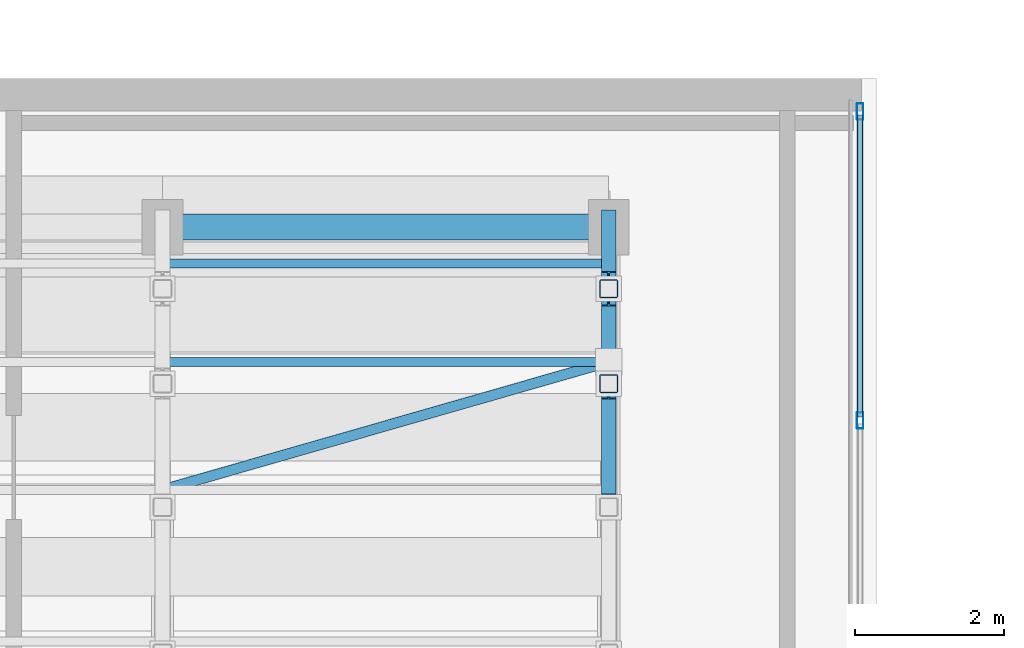
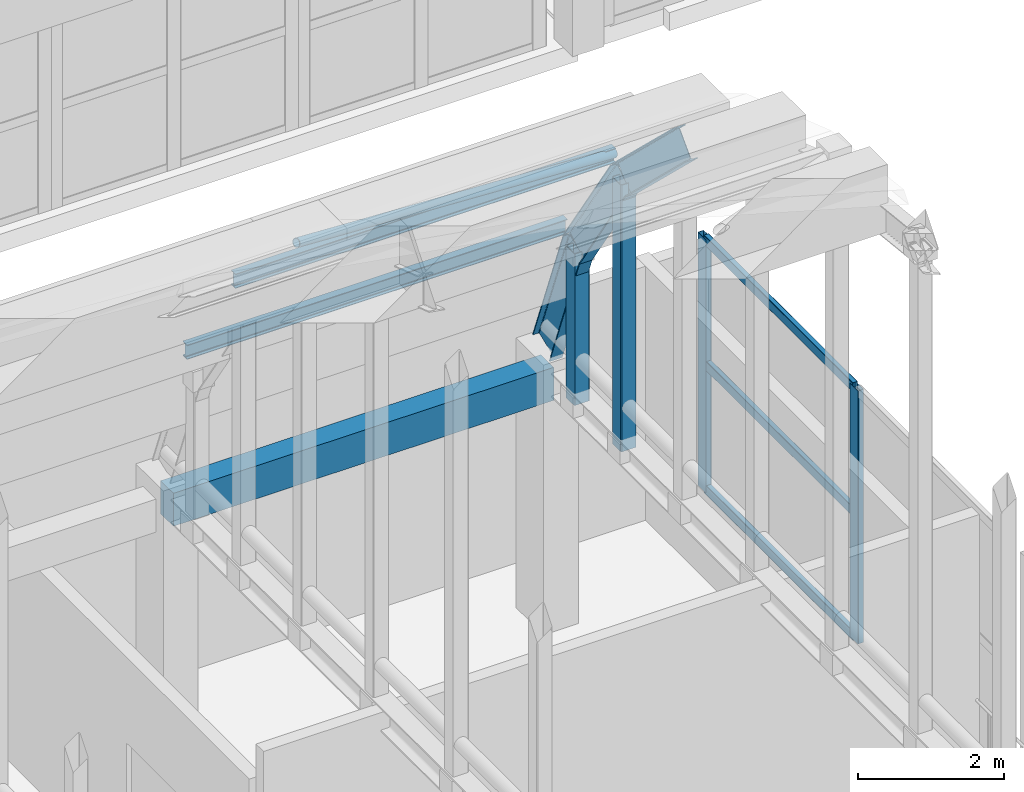
# One storey, part 21 of 91: 10 members, 4 beams, 1 element without a shape of its own.
"""IFC4 building model written with IfcOpenShell, lengths in metres."""

from ifc_helpers import new_model, si_unit, direction, frame, origin, origin_2d, place, context, subcontext, project, spatial, rectangle, hollow_rectangle, hollow_circle, i_section, extrude, material, layer, layer_set, material_profile, profile_set, type_object, element, aggregate, save


model = new_model("IFC4")

# Units and contexts
model_context = context("Model", 3, precision=1e-05, world=origin(), true_north=direction((0.0, 1.0)))
body_context = subcontext(model_context, "Body", "Model", "MODEL_VIEW")
ifc_project = project(units=[si_unit("LENGTHUNIT", "METRE"), si_unit("AREAUNIT", "SQUARE_METRE"), si_unit("VOLUMEUNIT", "CUBIC_METRE"), si_unit("PLANEANGLEUNIT", "RADIAN"), si_unit("MASSUNIT", "GRAM", prefix="KILO")], contexts=[model_context])

# Site, building, storey
site_placement = place(None, origin())
site = spatial("IfcSite", under=ifc_project, at=site_placement, CompositionType="ELEMENT")
building_placement = place(site_placement, origin())
building = spatial("IfcBuilding", under=site, at=building_placement, Name="Tarnavel Promenade Courthouse", CompositionType="ELEMENT")
storey_placement = place(building_placement, frame((0.0, 0.0, 9.89990234375)))
storey = spatial("IfcBuildingStorey", under=building, at=storey_placement, Name="L03", CompositionType="ELEMENT", Elevation=9.89990234375)

# Beams
ifc_material_1 = material(Name="Concrete C40/50", Category="concrete")
ifc_material_profile_1 = material_profile(ifc_material_1, rectangle(XDim=0.35009765625, YDim=0.550048828125, at=origin_2d()), Name="RC 350x550")
ifc_profile_set_1 = profile_set([ifc_material_profile_1], Name="Concrete C40/50")
beam_type_1 = type_object("IfcBeamType", Name="Concrete C40/50 BM-RC-350x550 (RC 350x550)", PredefinedType="BEAM", material=ifc_profile_set_1)
beam_1_placement = place(storey_placement, frame((45.60009765625, 35.199951171875, 3.97021484375), z_axis=(1.0, 0.0, 0.0), x_axis=(0.0, 1.0, 0.0)))
element("IfcBeam", 1, at=beam_1_placement, inside=storey, type_object=beam_type_1, Name="L03 Primary Longitudinal Beam 1555", PredefinedType="BEAM", context=body_context, shape_type="SweptSolid", body=[
    extrude(rectangle(XDim=0.35009765625, YDim=0.550048828125, at=origin_2d()), origin(), (0.0, 0.0, 1.0), 6.0),
])
ifc_material_2 = material(Name="Steel S355J2", Category="steel")
ifc_material_profile_2 = material_profile(ifc_material_2, i_section(OverallWidth=0.199951171875, OverallDepth=0.5, WebThickness=0.01025390625, FlangeThickness=0.01611328125, FilletRadius=0.02099609375, at=origin_2d()), Name="IPE 500")
ifc_profile_set_2 = profile_set([ifc_material_profile_2], Name="Steel S355J2")
beam_type_2 = type_object("IfcBeamType", Name="Steel S355J2 BM-AR-IPE500 (IPE 500)", PredefinedType="T_BEAM", material=ifc_profile_set_2)
beam_2_placement = place(storey_placement, frame((51.60009765625, 31.435546875, 10.160400390625), z_axis=(0.0, 0.721173265551, -0.692754733693), x_axis=(-1.0, 0.0, 0.0)))
element("IfcBeam", 2, at=beam_2_placement, inside=storey, type_object=beam_type_2, Name="V4 Barrel Vault Arch Rib 08 Chord 10", PredefinedType="T_BEAM", context=body_context, shape_type="SweptSolid", body=[
    extrude(i_section(OverallWidth=0.199951171875, OverallDepth=0.5, WebThickness=0.01025390625, FlangeThickness=0.01611328125, FilletRadius=0.02099609375, at=origin_2d()), origin(), (0.0, 0.0, 1.0), 2.30224609375),
])
for number, where, z_axis, x_axis, name in (
    (3, (51.60009765625, 33.095947265625, 8.5654296875), (0.0, 0.553794535045, -0.832653357019), (-1.0, 0.0, 0.0), "V4 Barrel Vault Arch Rib 08 Chord 11"),
    (4, (51.60009765625, 34.37109375, 6.648193359375), (0.0, 0.359973594692, -0.93296249181), (-1.0, 0.0, 0.0), "V4 Barrel Vault Arch Rib 08 Chord 12"),
):
    element("IfcBeam", number, at=place(storey_placement, frame(where, z_axis=z_axis, x_axis=x_axis)), inside=storey, type_object=beam_type_2, Name=name, PredefinedType="T_BEAM", context=body_context, shape_type="SweptSolid", body=[
        extrude(i_section(OverallWidth=0.199951171875, OverallDepth=0.5, WebThickness=0.01025390625, FlangeThickness=0.01611328125, FilletRadius=0.02099609375, at=origin_2d()), origin(), (0.0, 0.0, 1.0), 2.302490234375),
    ])

# Members
ifc_material_profile_3 = material_profile(ifc_material_2, hollow_circle(Radius=0.06982421875, WallThickness=0.008056640625, at=origin_2d()), Name="CHS 139.7x8")
ifc_profile_set_3 = profile_set([ifc_material_profile_3], Name="Steel S355J2")
member_type_1 = type_object("IfcMemberType", Name="Steel S355J2 MEM-BR-CHS140 (CHS 139.7x8)", PredefinedType="BRACE", material=ifc_profile_set_3)
member_1_placement = place(storey_placement, frame((45.60009765625, 31.667236328125, 10.46142578125), z_axis=(0.929253407327, 0.266457062233, -0.255907676627), x_axis=(-0.27563538244, 0.961262261793, 0.0)))
element("IfcMember", 5, at=member_1_placement, inside=storey, type_object=member_type_1, Name="V4 Barrel Vault Roof Brace 07-09", PredefinedType="BRACE", context=body_context, shape_type="SweptSolid", body=[
    extrude(hollow_circle(Radius=0.06982421875, WallThickness=0.008056640625, at=origin_2d()), origin(), (0.0, 0.0, 1.0), 6.456787109375),
])
ifc_material_profile_4 = material_profile(ifc_material_2, i_section(OverallWidth=0.1201171875, OverallDepth=0.239990234375, WebThickness=0.006103515625, FlangeThickness=0.009765625, FilletRadius=0.014892578125, at=origin_2d()), Name="IPE 240")
ifc_profile_set_4 = profile_set([ifc_material_profile_4], Name="Steel S355J2")
member_type_2 = type_object("IfcMemberType", Name="Steel S355J2 MEM-PUR-IPE240 (IPE 240)", PredefinedType="PURLIN", material=ifc_profile_set_4)
for number, where, z_axis, x_axis, name in (
    (6, (45.60009765625, 33.3876953125, 8.80908203125), (1.0, 0.0, 0.0), (0.0, 1.0, 0.0), "V4 Barrel Vault Purlin 07-10"),
    (7, (45.60009765625, 34.708740234375, 6.822998046875), (1.0, 0.0, 0.0), (0.0, 1.0, 0.0), "V4 Barrel Vault Purlin 07-11"),
):
    element("IfcMember", number, at=place(storey_placement, frame(where, z_axis=z_axis, x_axis=x_axis)), inside=storey, type_object=member_type_2, Name=name, PredefinedType="PURLIN", context=body_context, shape_type="SweptSolid", body=[
        extrude(i_section(OverallWidth=0.1201171875, OverallDepth=0.239990234375, WebThickness=0.006103515625, FlangeThickness=0.009765625, FilletRadius=0.014892578125, at=origin_2d()), origin(), (0.0, 0.0, 1.0), 6.0),
    ])
ifc_material_profile_5 = material_profile(ifc_material_2, hollow_rectangle(XDim=0.25, YDim=0.25, WallThickness=0.012451171875, InnerFilletRadius=0.012451171875, OuterFilletRadius=0.02490234375, at=origin_2d()), Name="SHS 250x250x12.5")
ifc_profile_set_5 = profile_set([ifc_material_profile_5], Name="Steel S355J2")
member_type_3 = type_object("IfcMemberType", Name="Steel S355J2 MEM-STR-SHS250 (SHS 250x250x12.5)", PredefinedType="STRUT", material=ifc_profile_set_5)
member_2_placement = place(storey_placement, frame((51.60009765625, 33.095947265625, 4.1201171875), z_axis=(0.0, 0.0, 1.0), x_axis=(1.0, 0.0, 0.0)))
element("IfcMember", 8, at=member_2_placement, inside=storey, type_object=member_type_3, Name="V4 Vault Arch Web Strut 08-10", PredefinedType="STRUT", context=body_context, shape_type="SweptSolid", body=[
    extrude(hollow_rectangle(XDim=0.25, YDim=0.25, WallThickness=0.012451171875, InnerFilletRadius=0.012451171875, OuterFilletRadius=0.02490234375, at=origin_2d()), origin(), (0.0, 0.0, 1.0), 4.4453125),
])
member_3_placement = place(storey_placement, frame((51.60009765625, 34.37109375, 4.1201171875), z_axis=(0.0, 0.0, 1.0), x_axis=(1.0, 0.0, 0.0)))
element("IfcMember", 9, at=member_3_placement, inside=storey, type_object=member_type_3, Name="V4 Vault Arch Web Strut 08-11", PredefinedType="STRUT", context=body_context, shape_type="SweptSolid", body=[
    extrude(hollow_rectangle(XDim=0.25, YDim=0.25, WallThickness=0.012451171875, InnerFilletRadius=0.012451171875, OuterFilletRadius=0.02490234375, at=origin_2d()), origin(), (0.0, 0.0, 1.0), 2.528076171875),
])

# Curtain wall, members
ifc_material_3 = material(Name="Thermally Broken Anodised Aluminium Curtain Wall System", Category="aluminium")
ifc_layer = layer(ifc_material_3, 0.219970703125)
ifc_layer_set = layer_set([ifc_layer], Name="Thermally Broken Anodised Aluminium Curtain Wall System")
curtain_wall_type = type_object("IfcCurtainWallType", Name="Thermally Broken Aluminium Triple-Glazed Curtain Wall CW-DRUM", PredefinedType="NOTDEFINED", material=ifc_layer_set)
curtain_wall_placement = place(storey_placement, origin())
curtain_wall = element("IfcCurtainWall", 10, at=curtain_wall_placement, inside=storey, type_object=curtain_wall_type, Name="L03 Public Drum East Return Curtain Wall 041", PredefinedType="NOTDEFINED")
ifc_material_4 = material(Name="Thermally Broken Anodised Aluminium Frame", Category="aluminium")
ifc_material_profile_6 = material_profile(ifc_material_4, hollow_rectangle(XDim=0.090087890625, YDim=0.219970703125, WallThickness=0.0048828125, InnerFilletRadius=0.0048828125, OuterFilletRadius=0.010009765625, at=origin_2d()), Name="CWM 220x90x5")
ifc_profile_set_6 = profile_set([ifc_material_profile_6], Name="Thermally Broken Anodised Aluminium Frame")
member_type_4 = type_object("IfcMemberType", Name="Thermally Broken Anodised Aluminium CWM-175 (CWM 220x90x5)", PredefinedType="MULLION", material=ifc_profile_set_6)
member_4_placement = place(storey_placement, frame((54.97998046875, 32.60009765625, 0.0), z_axis=(0.0, 0.0, 1.0), x_axis=(-1.0, 0.0, 0.0)))
member_4 = element("IfcMember", 11, at=member_4_placement, type_object=member_type_4, Name="CW-01 mullion 2", PredefinedType="MULLION", context=body_context, shape_type="SweptSolid", body=[
    extrude(hollow_rectangle(XDim=0.090087890625, YDim=0.219970703125, WallThickness=0.0048828125, InnerFilletRadius=0.0048828125, OuterFilletRadius=0.010009765625, at=origin_2d()), origin(), (0.0, 0.0, 1.0), 4.22021484375),
])
member_5_placement = place(storey_placement, frame((54.97998046875, 36.7548828125, 0.0), z_axis=(0.0, 0.0, 1.0), x_axis=(-1.0, 0.0, 0.0)))
member_5 = element("IfcMember", 12, at=member_5_placement, type_object=member_type_4, Name="CW-01 mullion 3", PredefinedType="MULLION", context=body_context, shape_type="SweptSolid", body=[
    extrude(hollow_rectangle(XDim=0.090087890625, YDim=0.219970703125, WallThickness=0.0048828125, InnerFilletRadius=0.0048828125, OuterFilletRadius=0.010009765625, at=origin_2d()), origin(), (0.0, 0.0, 1.0), 4.22021484375),
])
ifc_material_profile_7 = material_profile(ifc_material_4, hollow_rectangle(XDim=0.080078125, YDim=0.159912109375, WallThickness=0.0048828125, InnerFilletRadius=0.0048828125, OuterFilletRadius=0.010009765625, at=origin_2d()), Name="CWT 160x80x5")
ifc_profile_set_7 = profile_set([ifc_material_profile_7], Name="Thermally Broken Anodised Aluminium Frame")
member_type_5 = type_object("IfcMemberType", Name="Thermally Broken Anodised Aluminium CWT-145 (CWT 160x80x5)", PredefinedType="USERDEFINED", material=ifc_profile_set_7)
member_6_placement = place(storey_placement, frame((54.97998046875, 32.64501953125, 0.0400390625), z_axis=(0.0, 1.0, 0.0), x_axis=(-1.0, 0.0, 0.0)))
member_6 = element("IfcMember", 13, at=member_6_placement, type_object=member_type_5, Name="CW-01 transom 2.1", ObjectType="TRANSOM", PredefinedType="USERDEFINED", context=body_context, shape_type="SweptSolid", body=[
    extrude(hollow_rectangle(XDim=0.080078125, YDim=0.159912109375, WallThickness=0.0048828125, InnerFilletRadius=0.0048828125, OuterFilletRadius=0.010009765625, at=origin_2d()), origin(), (0.0, 0.0, 1.0), 4.06494140625),
])
member_7_placement = place(storey_placement, frame((54.97998046875, 32.64501953125, 2.110107421875), z_axis=(0.0, 1.0, 0.0), x_axis=(-1.0, 0.0, 0.0)))
member_7 = element("IfcMember", 14, at=member_7_placement, type_object=member_type_5, Name="CW-01 transom 2.2", ObjectType="TRANSOM", PredefinedType="USERDEFINED", context=body_context, shape_type="SweptSolid", body=[
    extrude(hollow_rectangle(XDim=0.080078125, YDim=0.159912109375, WallThickness=0.0048828125, InnerFilletRadius=0.0048828125, OuterFilletRadius=0.010009765625, at=origin_2d()), origin(), (0.0, 0.0, 1.0), 4.06494140625),
])
member_8_placement = place(storey_placement, frame((54.97998046875, 32.64501953125, 4.18017578125), z_axis=(0.0, 1.0, 0.0), x_axis=(-1.0, 0.0, 0.0)))
member_8 = element("IfcMember", 15, at=member_8_placement, type_object=member_type_5, Name="CW-01 transom 2.3", ObjectType="TRANSOM", PredefinedType="USERDEFINED", context=body_context, shape_type="SweptSolid", body=[
    extrude(hollow_rectangle(XDim=0.080078125, YDim=0.159912109375, WallThickness=0.0048828125, InnerFilletRadius=0.0048828125, OuterFilletRadius=0.010009765625, at=origin_2d()), origin(), (0.0, 0.0, 1.0), 4.06494140625),
])
aggregate(curtain_wall, [member_4, member_5, member_6, member_7, member_8])

save(model, "model.ifc")
